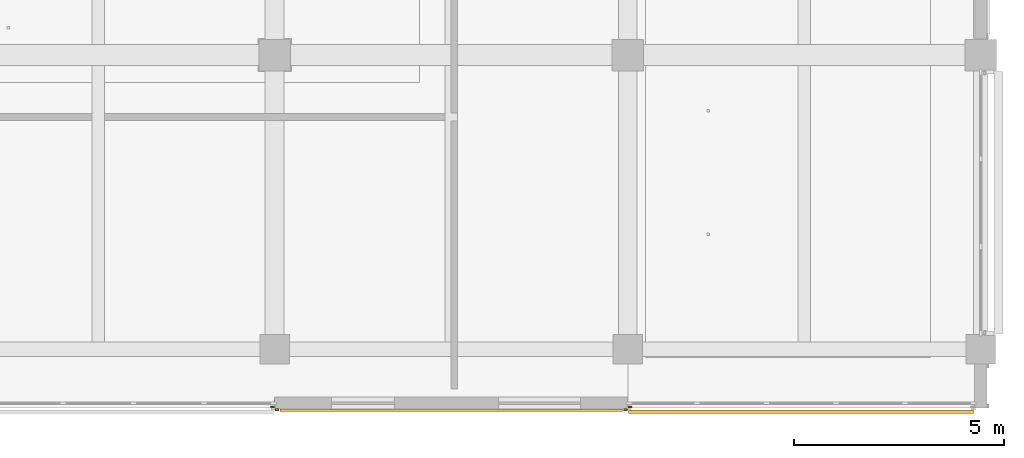
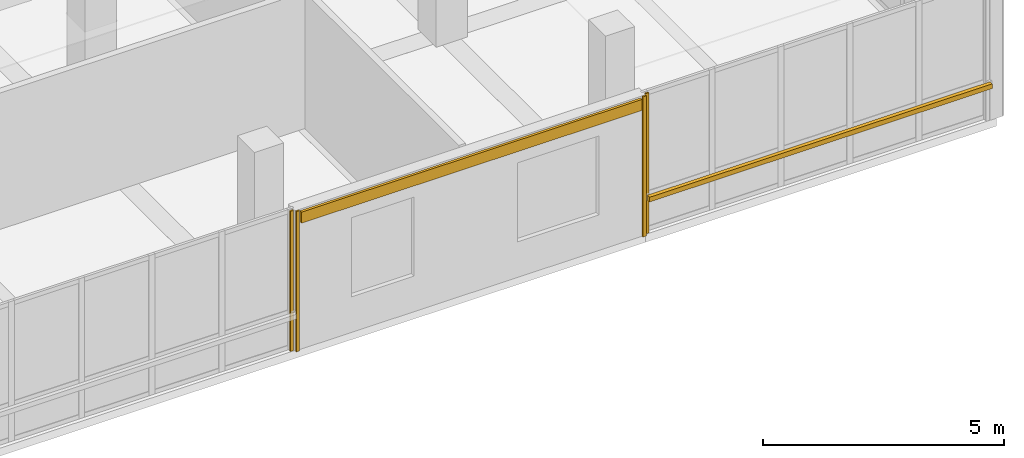
# One storey, part 29 of 35: 5 coverings, 1 shading device.
"""IFC4 building model written with IfcOpenShell, lengths in metres."""

from ifc_helpers import new_model, si_unit, direction, frame, origin, origin_2d, place, context, subcontext, project, spatial, rectangle, extrude, material, layer, layer_set, type_object, element, save


model = new_model("IFC4")

# Units and contexts
model_context = context("Model", 3, precision=1e-05, world=origin(), true_north=direction((0.0, 1.0)))
body_context = subcontext(model_context, "Body", "Model", "MODEL_VIEW")
ifc_project = project(units=[si_unit("LENGTHUNIT", "METRE"), si_unit("AREAUNIT", "SQUARE_METRE"), si_unit("VOLUMEUNIT", "CUBIC_METRE"), si_unit("PLANEANGLEUNIT", "RADIAN"), si_unit("MASSUNIT", "GRAM", prefix="KILO")], contexts=[model_context])

# Site, building, storey
site_placement = place(None, origin())
site = spatial("IfcSite", under=ifc_project, at=site_placement, CompositionType="ELEMENT")
building_placement = place(site_placement, origin())
building = spatial("IfcBuilding", under=site, at=building_placement, Name="Telukmera Botanical Conservatory", CompositionType="ELEMENT")
storey_placement = place(building_placement, frame((0.0, 0.0, 46.5)))
storey = spatial("IfcBuildingStorey", under=building, at=storey_placement, Name="L10", CompositionType="ELEMENT", Elevation=46.5)

# Coverings
ifc_material_1 = material(Name="Granite-faced precast concrete C40/50", Category="masonry")
ifc_layer_1 = layer(ifc_material_1, 0.0400390625)
ifc_layer_set_1 = layer_set([ifc_layer_1], Name="Granite-faced precast concrete C40/50")
covering_type_1 = type_object("IfcCoveringType", Name="Granite Precast Column Pier Reveal Casing", PredefinedType="CLADDING", material=ifc_layer_set_1)
for number, where, z_axis, x_axis, name in (
    (1, (83.947998046875, 9.22998046875, 0.0), (0.0, 0.0, 1.0), (1.0, 0.0, 0.0), "Granite Pier Reveal V4:L10:S4 R"),
    (2, (84.052001953125, 9.159912109375, 0.0), (0.0, 0.0, 1.0), (1.0, 0.0, 0.0), "Granite Pier Reveal V4:L10:S5 L"),
    (3, (92.347900390625, 9.159912109375, 0.0), (0.0, 0.0, 1.0), (1.0, 0.0, 0.0), "Granite Pier Reveal V4:L10:S5 R"),
    (4, (92.451904296875, 9.22998046875, 0.0), (0.0, 0.0, 1.0), (1.0, 0.0, 0.0), "Granite Pier Reveal V4:L10:S6 L"),
):
    element("IfcCovering", number, at=place(storey_placement, frame(where, z_axis=z_axis, x_axis=x_axis)), inside=storey, type_object=covering_type_1, Name=name, PredefinedType="CLADDING", context=body_context, shape_type="SweptSolid", body=[
        extrude(rectangle(XDim=0.080078125, YDim=0.0400390625, at=origin_2d()), origin(), (0.0, 0.0, 1.0), 3.550048828125),
    ])

# Shading device
ifc_material_2 = material(Name="Perforated terracotta-anodised aluminium 6063-T6", Category="masonry")
ifc_layer_2 = layer(ifc_material_2, 0.044921875)
ifc_layer_set_2 = layer_set([ifc_layer_2], Name="Perforated terracotta-anodised aluminium 6063-T6")
shading_device_type = type_object("IfcShadingDeviceType", Name="Perforated Terracotta Aluminium Monsoon Brise Soleil", PredefinedType="JALOUSIE", material=ifc_layer_set_2)
shading_device_placement = place(storey_placement, frame((96.52490234375, 9.114990234375, 0.889892578125), z_axis=(0.0, 0.0, 1.0), x_axis=(1.0, 0.0, 0.0)))
element("IfcShadingDevice", 5, at=shading_device_placement, inside=storey, type_object=shading_device_type, Name="Monsoon Shading BS01 V4:L10:S6", PredefinedType="JALOUSIE", context=body_context, shape_type="SweptSolid", body=[
    extrude(rectangle(XDim=8.2060546875, YDim=0.090087890625, at=origin_2d()), origin(), (0.0, 0.0, 1.0), 0.1201171875),
])

# Covering
ifc_material_3 = material(Name="Terracotta-faced precast concrete C40/50", Category="masonry")
ifc_layer_3 = layer(ifc_material_3, 0.06005859375)
ifc_layer_set_3 = layer_set([ifc_layer_3], Name="Terracotta-faced precast concrete C40/50")
covering_type_2 = type_object("IfcCoveringType", Name="Polychrome Terracotta Facade Band Cladding", PredefinedType="CLADDING", material=ifc_layer_set_3)
covering_placement = place(storey_placement, frame((88.199951171875, 9.14990234375, 3.22998046875), z_axis=(0.0, 0.0, 1.0), x_axis=(1.0, 0.0, 0.0)))
element("IfcCovering", 6, at=covering_placement, inside=storey, type_object=covering_type_2, Name="Polychrome Terracotta Band V4:L10:S5", PredefinedType="CLADDING", context=body_context, shape_type="SweptSolid", body=[
    extrude(rectangle(XDim=8.156005859375, YDim=0.06005859375, at=origin_2d()), origin(), (0.0, 0.0, 1.0), 0.280029296875),
])

save(model, "model.ifc")
